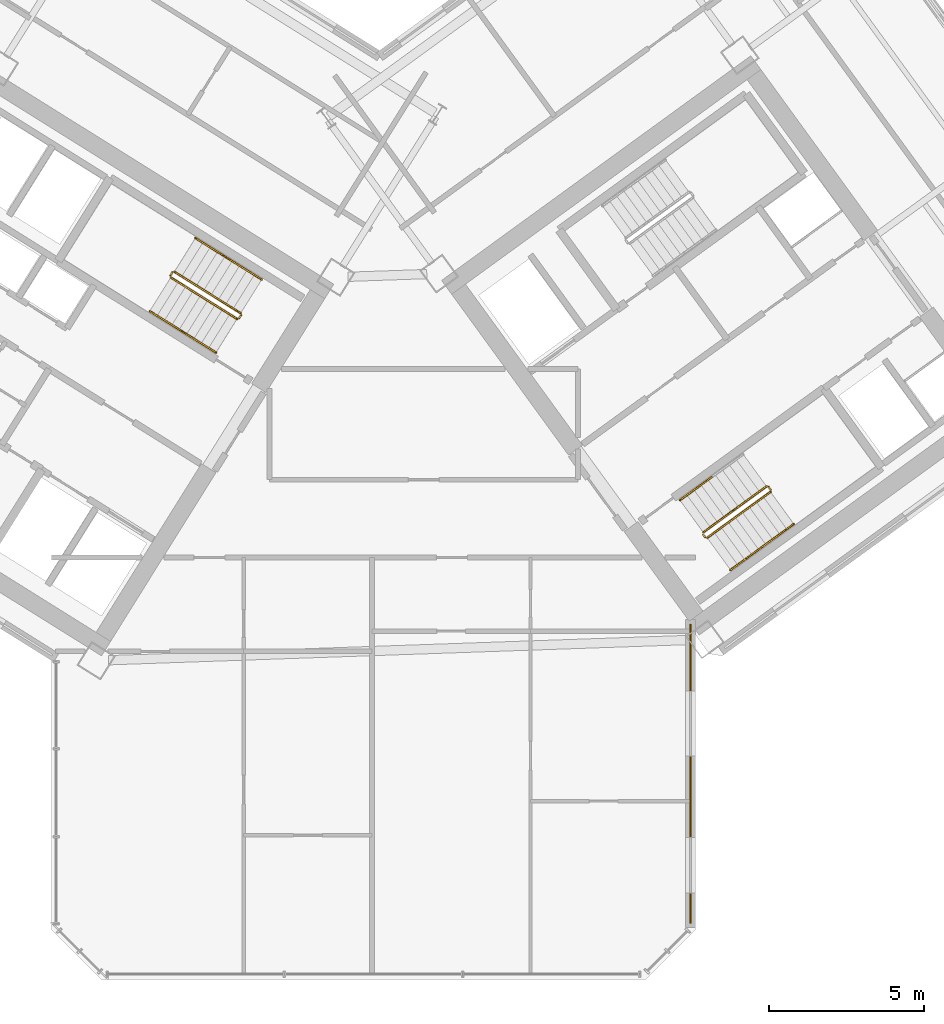
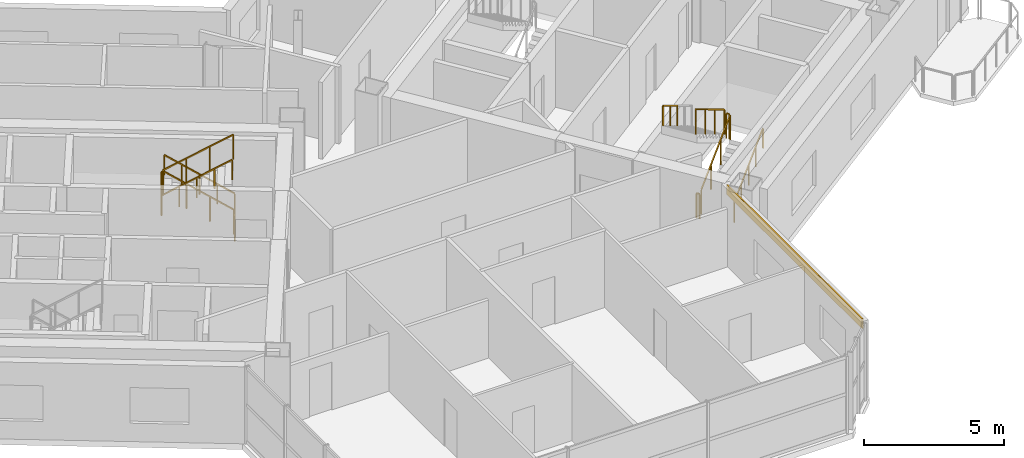
# One storey, part 19 of 21: 15 railings, 1 covering.
"""IFC4 building model written with IfcOpenShell, lengths in metres."""

from ifc_helpers import new_model, si_unit, direction, frame, origin, origin_2d, place, context, subcontext, project, spatial, rectangle, extrude, source, transform, mapped, material, layer, layer_set, type_object, element, save


model = new_model("IFC4")

# Units and contexts
model_context = context("Model", 3, precision=1e-05, world=origin(), true_north=direction((0.0, 1.0)))
body_context = subcontext(model_context, "Body", "Model", "MODEL_VIEW")
ifc_project = project(units=[si_unit("LENGTHUNIT", "METRE"), si_unit("AREAUNIT", "SQUARE_METRE"), si_unit("VOLUMEUNIT", "CUBIC_METRE"), si_unit("PLANEANGLEUNIT", "RADIAN"), si_unit("MASSUNIT", "GRAM", prefix="KILO")], contexts=[model_context])

# Site, building, storey
site_placement = place(None, origin())
site = spatial("IfcSite", under=ifc_project, at=site_placement, CompositionType="ELEMENT")
building_placement = place(site_placement, origin())
building = spatial("IfcBuilding", under=site, at=building_placement, Name="Tlacorven Tower", CompositionType="ELEMENT")
storey_placement = place(building_placement, frame((0.0, 0.0, 112.5)))
storey = spatial("IfcBuildingStorey", under=building, at=storey_placement, Name="L28", CompositionType="ELEMENT", Elevation=112.5)

# Covering
ifc_material_1 = material(Name="Precast concrete C45/55", Category="concrete")
ifc_layer = layer(ifc_material_1, 0.06005859375)
ifc_layer_set = layer_set([ifc_layer], Name="Precast concrete C45/55")
covering_type = type_object("IfcCoveringType", Name="CV-CLD-TERC", PredefinedType="CLADDING", material=ifc_layer_set)
shared_shape_1 = source(origin(), body_context, "Body", "SweptSolid", [
    extrude(rectangle(XDim=9.647705078125, YDim=0.06005859375, at=origin_2d()), origin(), (0.0, 0.0, 1.0), 0.419921875),
])
covering_placement = place(storey_placement, frame((52.239990234375, 8.440185546875, 2.929931640625), z_axis=(0.0, 0.0, 1.0), x_axis=(0.0, -1.0, 0.0)))
element("IfcCovering", 1, at=covering_placement, inside=storey, type_object=covering_type, Name="L28 Masonry-Frame Spandrel Cladding 7", PredefinedType="CLADDING", context=body_context, shape_type="MappedRepresentation", body=[
    mapped(shared_shape_1, transform((0.0, 0.0, 0.0), scale=1.0)),
])

# Railings
ifc_material_2 = material(Name="Aluminium and painted steel balustrade", Category="steel")
railing_type_1 = type_object("IfcRailingType", Name="RL-GRD-1100", PredefinedType="GUARDRAIL", material=ifc_material_2)
shared_shape_2 = source(origin(), body_context, "Body", "SweptSolid", [
    extrude(rectangle(XDim=0.048095703125, YDim=0.048095703125, at=origin_2d()), frame((0.0, 0.0, 1.076171875), z_axis=(-0.713319727316, 0.445773895627, 0.540796265334), x_axis=(-0.529955395941, -0.84802551749, 0.0)), (0.0, 0.0, 1.0), 2.995849609375),
    extrude(rectangle(XDim=0.0419921875, YDim=0.0419921875, at=origin_2d()), origin(), (0.0, 0.0, 1.0), 1.052001953125),
    extrude(rectangle(XDim=0.0419921875, YDim=0.0419921875, at=origin_2d()), frame((-0.71240234375, 0.445068359375, 0.5400390625)), (0.0, 0.0, 1.0), 1.052001953125),
    extrude(rectangle(XDim=0.0419921875, YDim=0.0419921875, at=origin_2d()), frame((-1.424560546875, 0.890380859375, 1.080078125)), (0.0, 0.0, 1.0), 1.052001953125),
    extrude(rectangle(XDim=0.0419921875, YDim=0.0419921875, at=origin_2d()), frame((-2.136962890625, 1.33544921875, 1.6201171875)), (0.0, 0.0, 1.0), 1.052001953125),
])
railing_1_placement = place(storey_placement, frame((37.712158203125, 23.3095703125, 0.179931640625)))
element("IfcRailing", 2, at=railing_1_placement, inside=storey, type_object=railing_type_1, Name="L28 ST-W2 stair guard 1", PredefinedType="GUARDRAIL", context=body_context, shape_type="MappedRepresentation", body=[
    mapped(shared_shape_2, transform((0.0, 0.0, 0.0), scale=1.0)),
])
shared_shape_3 = source(origin(), body_context, "Body", "SweptSolid", [
    extrude(rectangle(XDim=0.048095703125, YDim=0.048095703125, at=origin_2d()), frame((0.0, 0.0, 1.076171875), z_axis=(-0.530546985787, -0.847655529016, 0.0), x_axis=(0.847655529016, -0.530546985787, 0.0)), (0.0, 0.0, 1.0), 0.1201171875),
    extrude(rectangle(XDim=0.0419921875, YDim=0.0419921875, at=origin_2d()), origin(), (0.0, 0.0, 1.0), 1.052001953125),
    extrude(rectangle(XDim=0.0419921875, YDim=0.0419921875, at=origin_2d()), frame((-0.063720703125, -0.101806640625, 0.0)), (0.0, 0.0, 1.0), 1.052001953125),
])
railing_2_placement = place(storey_placement, frame((37.728271484375, 23.24072265625, 0.0)))
element("IfcRailing", 3, at=railing_2_placement, inside=storey, type_object=railing_type_1, Name="L28 ST-W2 stair guard 4", PredefinedType="GUARDRAIL", context=body_context, shape_type="MappedRepresentation", body=[
    mapped(shared_shape_3, transform((0.0, 0.0, 0.0), scale=1.0)),
])
railing_type_2 = type_object("IfcRailingType", Name="RL-HND-0900", PredefinedType="HANDRAIL", material=ifc_material_2)
shared_shape_4 = source(origin(), body_context, "Body", "SweptSolid", [
    extrude(rectangle(XDim=0.048095703125, YDim=0.048095703125, at=origin_2d()), frame((0.0, 0.0, 0.8759765625), z_axis=(-0.713359751793, 0.4457479829, 0.540764828981), x_axis=(-0.529911857636, -0.848052724267, 0.0)), (0.0, 0.0, 1.0), 1.498046875),
    extrude(rectangle(XDim=0.0419921875, YDim=0.0419921875, at=origin_2d()), origin(), (0.0, 0.0, 1.0), 0.851806640625),
    extrude(rectangle(XDim=0.0419921875, YDim=0.0419921875, at=origin_2d()), frame((-0.5341796875, 0.333984375, 0.405029296875)), (0.0, 0.0, 1.0), 0.851806640625),
    extrude(rectangle(XDim=0.0419921875, YDim=0.0419921875, at=origin_2d()), frame((-1.068603515625, 0.667724609375, 0.81005859375)), (0.0, 0.0, 1.0), 0.851806640625),
])
for number, where, name in (
    (4, (38.390625, 24.39501953125, 0.179931640625), "L28 ST-W2 stair handrail 1"),
    (5, (37.322021484375, 25.062744140625, 0.989990234375), "L28 ST-W2 stair handrail 2"),
):
    element("IfcRailing", number, at=place(storey_placement, frame(where)), inside=storey, type_object=railing_type_2, Name=name, PredefinedType="HANDRAIL", context=body_context, shape_type="MappedRepresentation", body=[
        mapped(shared_shape_4, transform((0.0, 0.0, 0.0), scale=1.0)),
    ])
shared_shape_5 = source(origin(), body_context, "Body", "SweptSolid", [
    extrude(rectangle(XDim=0.048095703125, YDim=0.048095703125, at=origin_2d()), frame((0.0, 0.0, 0.8759765625), z_axis=(0.713359751793, -0.4457479829, 0.540764828981), x_axis=(0.529911857636, 0.848052724267, 0.0)), (0.0, 0.0, 1.0), 1.498046875),
    extrude(rectangle(XDim=0.0419921875, YDim=0.0419921875, at=origin_2d()), origin(), (0.0, 0.0, 1.0), 0.851806640625),
    extrude(rectangle(XDim=0.0419921875, YDim=0.0419921875, at=origin_2d()), frame((0.5341796875, -0.333984375, 0.405029296875)), (0.0, 0.0, 1.0), 0.851806640625),
    extrude(rectangle(XDim=0.0419921875, YDim=0.0419921875, at=origin_2d()), frame((1.068603515625, -0.667724609375, 0.81005859375)), (0.0, 0.0, 1.0), 0.851806640625),
])
for number, where, name in (
    (6, (34.7802734375, 23.372802734375, 1.97998046875), "L28 ST-W2 stair handrail 3"),
    (7, (35.848876953125, 22.705078125, 2.7900390625), "L28 ST-W2 stair handrail 4"),
):
    element("IfcRailing", number, at=place(storey_placement, frame(where)), inside=storey, type_object=railing_type_2, Name=name, PredefinedType="HANDRAIL", context=body_context, shape_type="MappedRepresentation", body=[
        mapped(shared_shape_5, transform((0.0, 0.0, 0.0), scale=1.0)),
    ])
shared_shape_6 = source(origin(), body_context, "Body", "SweptSolid", [
    extrude(rectangle(XDim=0.048095703125, YDim=0.048095703125, at=origin_2d()), frame((0.0, 0.0, 1.076171875), z_axis=(-0.531462422766, -0.847081869236, 0.0), x_axis=(0.847081869236, -0.531462422766, 0.0)), (0.0, 0.0, 1.0), 0.119873046875),
    extrude(rectangle(XDim=0.0419921875, YDim=0.0419921875, at=origin_2d()), origin(), (0.0, 0.0, 1.0), 1.052001953125),
    extrude(rectangle(XDim=0.0419921875, YDim=0.0419921875, at=origin_2d()), frame((-0.063720703125, -0.1015625, 0.0)), (0.0, 0.0, 1.0), 1.052001953125),
])
railing_3_placement = place(storey_placement, frame((35.50634765625, 24.62890625, 1.800048828125)))
element("IfcRailing", 8, at=railing_3_placement, inside=storey, type_object=railing_type_1, Name="L28 ST-W2 stair guard 2", PredefinedType="GUARDRAIL", context=body_context, shape_type="MappedRepresentation", body=[
    mapped(shared_shape_6, transform((0.0, 0.0, 0.0), scale=1.0)),
])
shared_shape_7 = source(origin(), body_context, "Body", "SweptSolid", [
    extrude(rectangle(XDim=0.048095703125, YDim=0.048095703125, at=origin_2d()), frame((0.0, 0.0, 1.076171875), z_axis=(0.713385662783, -0.445682681033, 0.540784470897), x_axis=(0.52984217967, 0.848096259066, 0.0)), (0.0, 0.0, 1.0), 2.995849609375),
    extrude(rectangle(XDim=0.0419921875, YDim=0.0419921875, at=origin_2d()), origin(), (0.0, 0.0, 1.0), 1.052001953125),
    extrude(rectangle(XDim=0.0419921875, YDim=0.0419921875, at=origin_2d()), frame((0.71240234375, -0.445068359375, 0.5400390625)), (0.0, 0.0, 1.0), 1.052001953125),
    extrude(rectangle(XDim=0.0419921875, YDim=0.0419921875, at=origin_2d()), frame((1.4248046875, -0.89013671875, 1.080078125)), (0.0, 0.0, 1.0), 1.052001953125),
    extrude(rectangle(XDim=0.0419921875, YDim=0.0419921875, at=origin_2d()), frame((2.13720703125, -1.335205078125, 1.6201171875)), (0.0, 0.0, 1.0), 1.052001953125),
])
railing_4_placement = place(storey_placement, frame((35.45849609375, 24.458251953125, 1.97998046875)))
element("IfcRailing", 9, at=railing_4_placement, inside=storey, type_object=railing_type_1, Name="L28 ST-W2 stair guard 3", PredefinedType="GUARDRAIL", context=body_context, shape_type="MappedRepresentation", body=[
    mapped(shared_shape_7, transform((0.0, 0.0, 0.0), scale=1.0)),
])
shared_shape_8 = source(origin(), body_context, "Body", "SweptSolid", [
    extrude(rectangle(XDim=0.048095703125, YDim=0.048095703125, at=origin_2d()), frame((0.0, 0.0, 1.076171875), z_axis=(-0.587567097037, 0.809175448515, 0.0), x_axis=(-0.809175448515, -0.587567097037, 0.0)), (0.0, 0.0, 1.0), 0.1201171875),
    extrude(rectangle(XDim=0.0419921875, YDim=0.0419921875, at=origin_2d()), origin(), (0.0, 0.0, 1.0), 1.052001953125),
    extrude(rectangle(XDim=0.0419921875, YDim=0.0419921875, at=origin_2d()), frame((-0.070556640625, 0.09716796875, 0.0)), (0.0, 0.0, 1.0), 1.052001953125),
])
for number, where, name in (
    (10, (54.8310546875, 17.605712890625, 1.800048828125), "L28 ST-E2 stair guard 2"),
    (11, (52.71142578125, 16.065673828125, 0.0), "L28 ST-E2 stair guard 4"),
):
    element("IfcRailing", number, at=place(storey_placement, frame(where)), inside=storey, type_object=railing_type_1, Name=name, PredefinedType="GUARDRAIL", context=body_context, shape_type="MappedRepresentation", body=[
        mapped(shared_shape_8, transform((0.0, 0.0, 0.0), scale=1.0)),
    ])
shared_shape_9 = source(origin(), body_context, "Body", "SweptSolid", [
    extrude(rectangle(XDim=0.048095703125, YDim=0.048095703125, at=origin_2d()), frame((0.0, 0.0, 0.8759765625), z_axis=(0.680516055757, 0.494372502302, 0.540826891737), x_axis=(-0.587745292299, 0.809046025502, 0.0)), (0.0, 0.0, 1.0), 1.497802734375),
    extrude(rectangle(XDim=0.0419921875, YDim=0.0419921875, at=origin_2d()), origin(), (0.0, 0.0, 1.0), 0.851806640625),
    extrude(rectangle(XDim=0.0419921875, YDim=0.0419921875, at=origin_2d()), frame((0.509765625, 0.3701171875, 0.405029296875)), (0.0, 0.0, 1.0), 0.851806640625),
    extrude(rectangle(XDim=0.0419921875, YDim=0.0419921875, at=origin_2d()), frame((1.019287109375, 0.740478515625, 0.81005859375)), (0.0, 0.0, 1.0), 0.851806640625),
])
railing_5_placement = place(storey_placement, frame((54.552978515625, 15.759765625, 0.989990234375)))
element("IfcRailing", 12, at=railing_5_placement, inside=storey, type_object=railing_type_2, Name="L28 ST-E2 stair handrail 2", PredefinedType="HANDRAIL", context=body_context, shape_type="MappedRepresentation", body=[
    mapped(shared_shape_9, transform((0.0, 0.0, 0.0), scale=1.0)),
])
shared_shape_10 = source(origin(), body_context, "Body", "SweptSolid", [
    extrude(rectangle(XDim=0.048095703125, YDim=0.048095703125, at=origin_2d()), frame((0.0, 0.0, 0.8759765625), z_axis=(-0.680461216233, -0.494495647917, 0.540783309093), x_axis=(0.587872112667, -0.808953879494, 0.0)), (0.0, 0.0, 1.0), 1.498046875),
    extrude(rectangle(XDim=0.0419921875, YDim=0.0419921875, at=origin_2d()), origin(), (0.0, 0.0, 1.0), 0.851806640625),
    extrude(rectangle(XDim=0.0419921875, YDim=0.0419921875, at=origin_2d()), frame((-0.509765625, -0.370361328125, 0.405029296875)), (0.0, 0.0, 1.0), 0.851806640625),
    extrude(rectangle(XDim=0.0419921875, YDim=0.0419921875, at=origin_2d()), frame((-1.019287109375, -0.74072265625, 0.81005859375)), (0.0, 0.0, 1.0), 0.851806640625),
])
railing_6_placement = place(storey_placement, frame((52.9189453125, 18.0087890625, 2.7900390625)))
element("IfcRailing", 13, at=railing_6_placement, inside=storey, type_object=railing_type_2, Name="L28 ST-E2 stair handrail 4", PredefinedType="HANDRAIL", context=body_context, shape_type="MappedRepresentation", body=[
    mapped(shared_shape_10, transform((0.0, 0.0, 0.0), scale=1.0)),
])
shared_shape_11 = source(origin(), body_context, "Body", "SweptSolid", [
    extrude(rectangle(XDim=0.048095703125, YDim=0.048095703125, at=origin_2d()), frame((0.0, 0.0, 1.076171875), z_axis=(0.680532390839, 0.494406659708, 0.54077511024), x_axis=(-0.587762637553, 0.809033424462, 0.0)), (0.0, 0.0, 1.0), 2.995849609375),
    extrude(rectangle(XDim=0.0419921875, YDim=0.0419921875, at=origin_2d()), origin(), (0.0, 0.0, 1.0), 1.052001953125),
    extrude(rectangle(XDim=0.0419921875, YDim=0.0419921875, at=origin_2d()), frame((0.6796875, 0.49365234375, 0.5400390625)), (0.0, 0.0, 1.0), 1.052001953125),
    extrude(rectangle(XDim=0.0419921875, YDim=0.0419921875, at=origin_2d()), frame((1.359130859375, 0.987548828125, 1.080078125)), (0.0, 0.0, 1.0), 1.052001953125),
    extrude(rectangle(XDim=0.0419921875, YDim=0.0419921875, at=origin_2d()), frame((2.038818359375, 1.481201171875, 1.6201171875)), (0.0, 0.0, 1.0), 1.052001953125),
])
railing_7_placement = place(storey_placement, frame((52.78125, 16.0546875, 0.179931640625)))
element("IfcRailing", 14, at=railing_7_placement, inside=storey, type_object=railing_type_1, Name="L28 ST-E2 stair guard 1", PredefinedType="GUARDRAIL", context=body_context, shape_type="MappedRepresentation", body=[
    mapped(shared_shape_11, transform((0.0, 0.0, 0.0), scale=1.0)),
])
shared_shape_12 = source(origin(), body_context, "Body", "SweptSolid", [
    extrude(rectangle(XDim=0.048095703125, YDim=0.048095703125, at=origin_2d()), frame((0.0, 0.0, 1.076171875), z_axis=(-0.680532390839, -0.494406659708, 0.54077511024), x_axis=(0.587762637553, -0.809033424462, 0.0)), (0.0, 0.0, 1.0), 2.995849609375),
    extrude(rectangle(XDim=0.0419921875, YDim=0.0419921875, at=origin_2d()), origin(), (0.0, 0.0, 1.0), 1.052001953125),
    extrude(rectangle(XDim=0.0419921875, YDim=0.0419921875, at=origin_2d()), frame((-0.6796875, -0.49365234375, 0.5400390625)), (0.0, 0.0, 1.0), 1.052001953125),
    extrude(rectangle(XDim=0.0419921875, YDim=0.0419921875, at=origin_2d()), frame((-1.359130859375, -0.987548828125, 1.080078125)), (0.0, 0.0, 1.0), 1.052001953125),
    extrude(rectangle(XDim=0.0419921875, YDim=0.0419921875, at=origin_2d()), frame((-2.038818359375, -1.481201171875, 1.6201171875)), (0.0, 0.0, 1.0), 1.052001953125),
])
railing_8_placement = place(storey_placement, frame((54.690673828125, 17.7138671875, 1.97998046875)))
element("IfcRailing", 15, at=railing_8_placement, inside=storey, type_object=railing_type_1, Name="L28 ST-E2 stair guard 3", PredefinedType="GUARDRAIL", context=body_context, shape_type="MappedRepresentation", body=[
    mapped(shared_shape_12, transform((0.0, 0.0, 0.0), scale=1.0)),
])
shared_shape_13 = source(origin(), body_context, "Body", "SweptSolid", [
    extrude(rectangle(XDim=0.048095703125, YDim=0.048095703125, at=origin_2d()), frame((0.0, 0.0, 0.8759765625), z_axis=(0.680461216233, 0.494495647917, 0.540783309093), x_axis=(-0.587872112667, 0.808953879494, 0.0)), (0.0, 0.0, 1.0), 1.498046875),
    extrude(rectangle(XDim=0.0419921875, YDim=0.0419921875, at=origin_2d()), origin(), (0.0, 0.0, 1.0), 0.851806640625),
    extrude(rectangle(XDim=0.0419921875, YDim=0.0419921875, at=origin_2d()), frame((0.509765625, 0.370361328125, 0.405029296875)), (0.0, 0.0, 1.0), 0.851806640625),
    extrude(rectangle(XDim=0.0419921875, YDim=0.0419921875, at=origin_2d()), frame((1.019287109375, 0.74072265625, 0.81005859375)), (0.0, 0.0, 1.0), 0.851806640625),
])
railing_9_placement = place(storey_placement, frame((53.53369140625, 15.01904296875, 0.179931640625)))
element("IfcRailing", 16, at=railing_9_placement, inside=storey, type_object=railing_type_2, Name="L28 ST-E2 stair handrail 1", PredefinedType="HANDRAIL", context=body_context, shape_type="MappedRepresentation", body=[
    mapped(shared_shape_13, transform((0.0, 0.0, 0.0), scale=1.0)),
])

save(model, "model.ifc")
